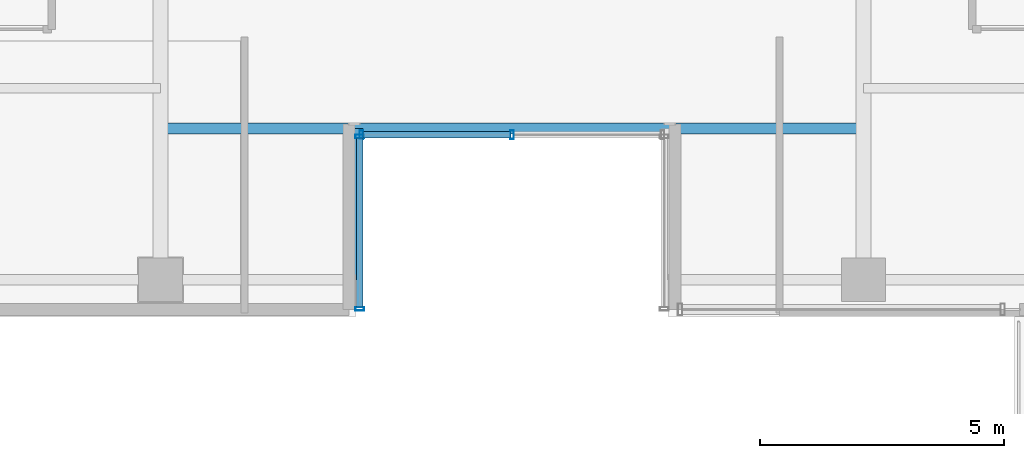
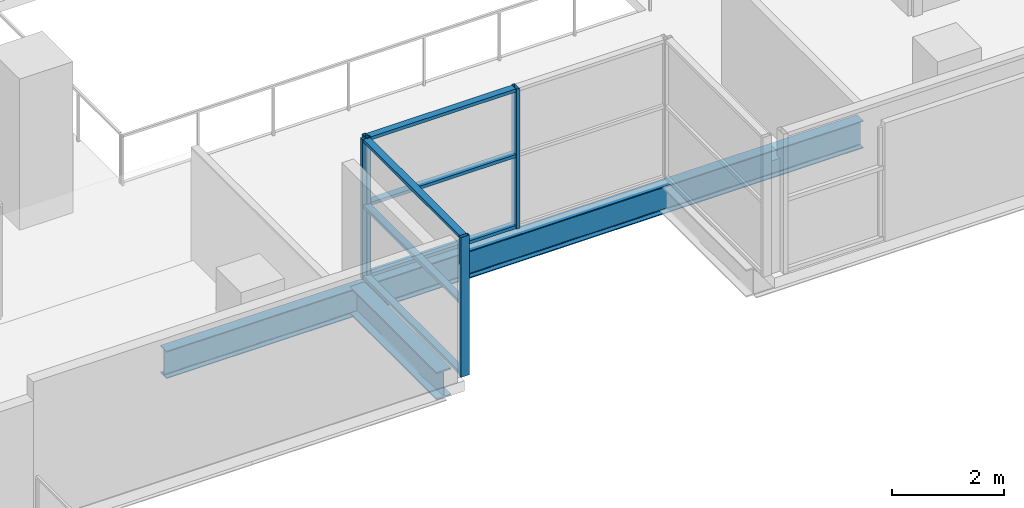
# One storey, part 3 of 31: 10 members, 2 beams, 2 elements without a shape of their own.
"""IFC4 building model written with IfcOpenShell, lengths in metres."""

import ifcopenshell
import ifcopenshell.guid

model = None  # the IFC model being written
_history = None  # IfcOwnerHistory: only IFC2X3 demands one
_inside = {}  # id of a spatial element -> (the spatial element, [elements in it])
_under = {}  # id of a project, library or spatial element -> (it, [spatial elements below it])
_declared = {}  # id of a project -> (the project, [libraries it declares])
_typed = {}  # id of a type object -> (the type object, [elements of that type])
_made_of = {}  # id of a material, layer set ... -> (it, [elements and type objects made of it])


def new_model(schema):
    """Start an empty IFC model of exactly this schema.

    Asked for "IFC4X3", IfcOpenShell would pick the latest addendum, in which some entities
    have other attributes; the version numbers below select the first issue.
    IFC2X3 requires an IfcOwnerHistory on every rooted entity: one is made here for all.
    """
    global model, _history
    if schema == "IFC4X3":
        model = ifcopenshell.file(schema_version=(4, 3, 0, 0))
    else:
        model = ifcopenshell.file(schema=schema)
    _inside.clear()
    _under.clear()
    _declared.clear()
    _typed.clear()
    _made_of.clear()
    _history = None
    if model.schema == "IFC2X3":
        org = make("IfcOrganization", Name="unknown")
        user = make(
            "IfcPersonAndOrganization",
            ThePerson=make("IfcPerson", FamilyName="unknown"),
            TheOrganization=org,
        )
        app = make(
            "IfcApplication",
            ApplicationDeveloper=org,
            Version="unknown",
            ApplicationFullName="unknown",
            ApplicationIdentifier="unknown",
        )
        _history = make(
            "IfcOwnerHistory",
            OwningUser=user,
            OwningApplication=app,
            ChangeAction="ADDED",
            CreationDate=0,
        )
    return model


def make(cls, **values):
    """One entity of the class cls with the attributes given. An attribute that is None is left unset."""
    return model.create_entity(
        cls, **{name: value for name, value in values.items() if value is not None}
    )


def rooted(cls, **values):
    """An entity with a GlobalId (a new one), such as an element, a storey or a relation."""
    return make(cls, GlobalId=ifcopenshell.guid.new(), OwnerHistory=_history, **values)


def si_unit(unit_type, name, prefix=None):
    """IfcSIUnit, for example si_unit("LENGTHUNIT", "METRE", prefix="MILLI")."""
    return make("IfcSIUnit", UnitType=unit_type, Prefix=prefix, Name=name)


def assignment(units):
    """IfcUnitAssignment: the units of a project."""
    return None if units is None else make("IfcUnitAssignment", Units=units)


def point(xyz):
    """IfcCartesianPoint."""
    return None if xyz is None else make("IfcCartesianPoint", Coordinates=xyz)


def direction(xyz):
    """IfcDirection."""
    return None if xyz is None else make("IfcDirection", DirectionRatios=xyz)


def frame(location, z_axis=None, x_axis=None):
    """IfcAxis2Placement3D, a coordinate frame: its origin and axes. An axis left out is left unset."""
    return make(
        "IfcAxis2Placement3D",
        Location=point(location),
        Axis=direction(z_axis),
        RefDirection=direction(x_axis),
    )


def frame_2d(location, x_axis=None):
    """IfcAxis2Placement2D, a coordinate frame in the plane: its origin and x axis."""
    return make(
        "IfcAxis2Placement2D", Location=point(location), RefDirection=direction(x_axis)
    )


def origin():
    """The frame at (0, 0, 0) with its axes left unset."""
    return frame((0.0, 0.0, 0.0))


def origin_2d():
    """The frame at (0, 0) in the plane with its x axis left unset."""
    return frame_2d((0.0, 0.0))


def place(relative_to, where):
    """IfcLocalPlacement: puts the frame where relative to a parent placement (None: the world)."""
    return make(
        "IfcLocalPlacement", PlacementRelTo=relative_to, RelativePlacement=where
    )


def context(
    kind, dimensions, precision=None, world=None, true_north=None, identifier=None
):
    """IfcGeometricRepresentationContext, for example the 3D "Model" context."""
    return make(
        "IfcGeometricRepresentationContext",
        ContextIdentifier=identifier,
        ContextType=kind,
        CoordinateSpaceDimension=dimensions,
        Precision=precision,
        WorldCoordinateSystem=world,
        TrueNorth=true_north,
    )


def subcontext(parent, identifier, kind, view, scale=None):
    """IfcGeometricRepresentationSubContext, for example "Body" below "Model"."""
    return make(
        "IfcGeometricRepresentationSubContext",
        ContextIdentifier=identifier,
        ContextType=kind,
        ParentContext=parent,
        TargetScale=scale,
        TargetView=view,
    )


def project(units=None, contexts=None):
    """IfcProject with its units and contexts."""
    return rooted(
        "IfcProject",
        Name="project",
        RepresentationContexts=contexts,
        UnitsInContext=assignment(units),
    )


def spatial(cls, under=None, at=None, **own):
    """A site, building, storey or space (cls), placed at a placement, below another one or the project."""
    s = rooted(cls, ObjectPlacement=at, **own)
    if under is not None:
        _under.setdefault(under.id(), (under, []))[1].append(s)
    return s


def profile(cls, at=None, kind="AREA", **sizes):
    """A parametric profile (cls). Its sizes go by their IFC names, for example OverallWidth=200.0."""
    return make(cls, ProfileType=kind, Position=at, **sizes)


def hollow_rectangle(**sizes):
    """IfcRectangleHollowProfileDef."""
    return profile("IfcRectangleHollowProfileDef", **sizes)


def i_section(**sizes):
    """IfcIShapeProfileDef."""
    return profile("IfcIShapeProfileDef", **sizes)


def extrude(swept, where, along, depth):
    """IfcExtrudedAreaSolid: the profile swept, set in the frame where, extruded along a direction by depth."""
    return make(
        "IfcExtrudedAreaSolid",
        SweptArea=swept,
        Position=where,
        ExtrudedDirection=direction(along),
        Depth=depth,
    )


def shape(context_of_items, identifier, shape_type, items):
    """IfcShapeRepresentation: the items that make up one representation, for example the "Body"."""
    return make(
        "IfcShapeRepresentation",
        ContextOfItems=context_of_items,
        RepresentationIdentifier=identifier,
        RepresentationType=shape_type,
        Items=items,
    )


def source(mapping_origin, context_of_items, identifier, shape_type, items):
    """IfcRepresentationMap: a shape defined once, which mapped items show again and again."""
    return make(
        "IfcRepresentationMap",
        MappingOrigin=mapping_origin,
        MappedRepresentation=shape(context_of_items, identifier, shape_type, items),
    )


def transform(
    local_origin,
    x_axis=None,
    y_axis=None,
    z_axis=None,
    scale=None,
    scale2=None,
    scale3=None,
    uniform=True,
):
    """IfcCartesianTransformationOperator3D, or its non-uniform kind. x_axis, y_axis, z_axis: its Axis1, 2, 3."""
    if uniform:
        return make(
            "IfcCartesianTransformationOperator3D",
            Axis1=direction(x_axis),
            Axis2=direction(y_axis),
            LocalOrigin=point(local_origin),
            Scale=scale,
            Axis3=direction(z_axis),
        )
    return make(
        "IfcCartesianTransformationOperator3DnonUniform",
        Axis1=direction(x_axis),
        Axis2=direction(y_axis),
        LocalOrigin=point(local_origin),
        Scale=scale,
        Axis3=direction(z_axis),
        Scale2=scale2,
        Scale3=scale3,
    )


def mapped(mapping_source, mapping_target):
    """IfcMappedItem: shows the shape of a source again, moved by a transform."""
    return make(
        "IfcMappedItem", MappingSource=mapping_source, MappingTarget=mapping_target
    )


def material(Name=None, Category=None):
    """IfcMaterial."""
    return make("IfcMaterial", Name=Name, Category=Category)


def layer(
    of_material, thickness, ventilated=None, Name=None, Category=None, Priority=None
):
    """IfcMaterialLayer: one layer of a wall or slab, of a material (None: an air gap)."""
    return make(
        "IfcMaterialLayer",
        Material=of_material,
        LayerThickness=thickness,
        IsVentilated=ventilated,
        Name=Name,
        Category=Category,
        Priority=Priority,
    )


def layer_set(layers, Name=None):
    """IfcMaterialLayerSet."""
    return make("IfcMaterialLayerSet", MaterialLayers=layers, LayerSetName=Name)


def material_profile(
    of_material, cross_section, Name=None, Category=None, Priority=None
):
    """IfcMaterialProfile: a cross section and its material."""
    return make(
        "IfcMaterialProfile",
        Name=Name,
        Material=of_material,
        Profile=cross_section,
        Priority=Priority,
        Category=Category,
    )


def profile_set(profiles, Name=None, composite=None):
    """IfcMaterialProfileSet."""
    return make(
        "IfcMaterialProfileSet",
        Name=Name,
        MaterialProfiles=profiles,
        CompositeProfile=composite,
    )


def made_of(thing, what):
    """Note that an element or type object is made of a material, layer set ...; save() writes the relation."""
    if what is not None:
        _made_of.setdefault(what.id(), (what, []))[1].append(thing)
    return thing


def type_object(cls, material=None, **own):
    """A type object (cls), such as IfcWallType, which elements share."""
    return made_of(rooted(cls, **own), material)


def element(
    cls,
    number,
    at=None,
    inside=None,
    cuts=None,
    type_object=None,
    material=None,
    context=None,
    identifier="Body",
    shape_type=None,
    held_by="IfcProductDefinitionShape",
    body=None,
    shapes=None,
    **own,
):
    """One element of the class cls, such as IfcWall. Its Tag is "e" and its number.

    at: its placement. inside: the storey or other place that contains it. cuts: it is an
    opening in that element (IfcRelVoidsElement). A single representation is given by context,
    identifier, shape_type and body (its items); several are given by shapes. held_by: the class
    of the entity that holds the representations. save() writes the other relations.
    """
    e = rooted(cls, Tag="e%d" % number, ObjectPlacement=at, **own)
    if body is not None:
        shapes = [shape(context, identifier, shape_type, body)]
    if shapes is not None:
        e.Representation = make(held_by, Representations=shapes)
    if inside is not None:
        _inside.setdefault(inside.id(), (inside, []))[1].append(e)
    if cuts is not None:
        rooted(
            "IfcRelVoidsElement", RelatingBuildingElement=cuts, RelatedOpeningElement=e
        )
    if type_object is not None:
        _typed.setdefault(type_object.id(), (type_object, []))[1].append(e)
    return made_of(e, material)


def aggregate(whole, parts):
    """IfcRelAggregates: a whole, such as a stair, and the parts it consists of."""
    return rooted("IfcRelAggregates", RelatingObject=whole, RelatedObjects=parts)


def save(model, path):
    """Write the relations noted so far, then the file.

    IfcRelAggregates (storeys below a building ...), IfcRelContainedInSpatialStructure (elements
    in a storey), IfcRelDefinesByType, IfcRelAssociatesMaterial and IfcRelDeclares: one each for
    every whole, place, type object, material and project.
    """
    for whole, parts in _under.values():
        aggregate(whole, parts)
    for where, things in _inside.values():
        rooted(
            "IfcRelContainedInSpatialStructure",
            RelatedElements=things,
            RelatingStructure=where,
        )
    for kind, things in _typed.values():
        rooted("IfcRelDefinesByType", RelatedObjects=things, RelatingType=kind)
    for what, things in _made_of.values():
        rooted("IfcRelAssociatesMaterial", RelatedObjects=things, RelatingMaterial=what)
    for by, libraries in _declared.values():
        rooted("IfcRelDeclares", RelatingContext=by, RelatedDefinitions=libraries)
    model.write(path)


model = new_model("IFC4")

# Units and contexts
model_context = context("Model", 3, precision=1e-05, world=origin(), true_north=direction((0.0, 1.0)))
body_context = subcontext(model_context, "Body", "Model", "MODEL_VIEW")
ifc_project = project(units=[si_unit("LENGTHUNIT", "METRE"), si_unit("AREAUNIT", "SQUARE_METRE"), si_unit("VOLUMEUNIT", "CUBIC_METRE"), si_unit("PLANEANGLEUNIT", "RADIAN"), si_unit("MASSUNIT", "GRAM", prefix="KILO")], contexts=[model_context])

# Site, building, storey
site_placement = place(None, origin())
site = spatial("IfcSite", under=ifc_project, at=site_placement, CompositionType="ELEMENT")
building_placement = place(site_placement, origin())
building = spatial("IfcBuilding", under=site, at=building_placement, Name="Zarnakvel Exchange Tower", CompositionType="ELEMENT")
storey_placement = place(building_placement, frame((0.0, 0.0, 53.800048828125)))
storey = spatial("IfcBuildingStorey", under=building, at=storey_placement, Name="L14", CompositionType="ELEMENT", Elevation=53.800048828125)

# Beams
ifc_material_1 = material(Name="Steel S355", Category="steel")
ifc_material_profile_1 = material_profile(ifc_material_1, i_section(OverallWidth=0.300048828125, OverallDepth=0.60009765625, WebThickness=0.015380859375, FlangeThickness=0.030029296875, FilletRadius=0.027099609375, at=origin_2d()))
ifc_profile_set_1 = profile_set([ifc_material_profile_1], Name="Steel S355")
beam_type_1 = type_object("IfcBeamType", Name="G-04", PredefinedType="BEAM", material=ifc_profile_set_1)
beam_1_placement = place(storey_placement, frame((-3.199951171875, -17.449951171875, -0.525146484375), z_axis=(0.0, 1.0, 0.0), x_axis=(-1.0, 0.0, 0.0)))
element("IfcBeam", 1, at=beam_1_placement, inside=storey, type_object=beam_type_1, Name="L14 South Slot West Cheek Beam", PredefinedType="BEAM", context=body_context, shape_type="SweptSolid", body=[
    extrude(i_section(OverallWidth=0.300048828125, OverallDepth=0.60009765625, WebThickness=0.015380859375, FlangeThickness=0.030029296875, FilletRadius=0.027099609375, at=origin_2d()), origin(), (0.0, 0.0, 1.0), 3.099853515625),
])
ifc_material_profile_2 = material_profile(ifc_material_1, i_section(OverallWidth=0.219970703125, OverallDepth=0.60009765625, WebThickness=0.011962890625, FlangeThickness=0.01904296875, FilletRadius=0.02392578125, at=origin_2d()))
ifc_profile_set_2 = profile_set([ifc_material_profile_2], Name="Steel S355")
beam_type_2 = type_object("IfcBeamType", Name="SP-01", PredefinedType="SPANDREL", material=ifc_profile_set_2)
beam_2_placement = place(storey_placement, frame((-7.199951171875, -14.35009765625, -0.525146484375), z_axis=(1.0, 0.0, 0.0), x_axis=(0.0, 1.0, 0.0)))
element("IfcBeam", 2, at=beam_2_placement, inside=storey, type_object=beam_type_2, Name="L14 South Slot Head Trimmer Girder", PredefinedType="SPANDREL", context=body_context, shape_type="SweptSolid", body=[
    extrude(i_section(OverallWidth=0.219970703125, OverallDepth=0.60009765625, WebThickness=0.011962890625, FlangeThickness=0.01904296875, FilletRadius=0.02392578125, at=origin_2d()), origin(), (0.0, 0.0, 1.0), 14.39990234375),
])

# Curtain wall, members
ifc_material_2 = material(Name="Architectural Bronze Anodised Aluminium", Category="aluminium")
ifc_layer = layer(ifc_material_2, 0.179931640625)
ifc_layer_set = layer_set([ifc_layer], Name="Architectural Bronze Anodised Aluminium")
curtain_wall_type = type_object("IfcCurtainWallType", Name="CW-05", PredefinedType="NOTDEFINED", material=ifc_layer_set)
curtain_wall_1_placement = place(storey_placement, origin())
curtain_wall_1 = element("IfcCurtainWall", 3, at=curtain_wall_1_placement, inside=storey, type_object=curtain_wall_type, Name="L14 Curtain Wall CW-L14-SLW (CW-05)", PredefinedType="NOTDEFINED")
ifc_material_profile_3 = material_profile(ifc_material_2, hollow_rectangle(XDim=0.139892578125, YDim=0.070068359375, WallThickness=0.00390625, at=origin_2d()))
ifc_profile_set_3 = profile_set([ifc_material_profile_3], Name="Architectural Bronze Anodised Aluminium")
member_type_1 = type_object("IfcMemberType", Name="CWT-05", PredefinedType="USERDEFINED", material=ifc_profile_set_3)
shared_shape_1 = source(origin(), body_context, "Body", "SweptSolid", [
    extrude(hollow_rectangle(XDim=0.139892578125, YDim=0.070068359375, WallThickness=0.00390625, at=origin_2d()), origin(), (0.0, 0.0, 1.0), 3.4599609375),
])
member_1_placement = place(storey_placement, frame((-3.1201171875, -18.010009765625, 0.034912109375), z_axis=(0.0, 1.0, 0.0), x_axis=(-1.0, 0.0, 0.0)))
member_1 = element("IfcMember", 4, at=member_1_placement, type_object=member_type_1, Name="CW-05 transom 1.1", ObjectType="TRANSOM", PredefinedType="USERDEFINED", context=body_context, shape_type="MappedRepresentation", body=[
    mapped(shared_shape_1, transform((0.0, 0.0, 0.0), x_axis=(1.0, 0.0, 0.0), y_axis=(0.0, 1.0, 0.0), z_axis=(0.0, 0.0, 1.0), scale=1.0)),
])
member_2_placement = place(storey_placement, frame((-3.1201171875, -18.010009765625, 1.588623046875), z_axis=(0.0, 1.0, 0.0), x_axis=(-1.0, 0.0, 0.0)))
member_2 = element("IfcMember", 5, at=member_2_placement, type_object=member_type_1, Name="CW-05 transom 1.2", ObjectType="TRANSOM", PredefinedType="USERDEFINED", context=body_context, shape_type="MappedRepresentation", body=[
    mapped(shared_shape_1, transform((0.0, 0.0, 0.0), x_axis=(1.0, 0.0, 0.0), y_axis=(0.0, 1.0, 0.0), z_axis=(0.0, 0.0, 1.0), scale=1.0)),
])
member_3_placement = place(storey_placement, frame((-3.1201171875, -18.010009765625, 3.02001953125), z_axis=(0.0, 1.0, 0.0), x_axis=(-1.0, 0.0, 0.0)))
member_3 = element("IfcMember", 6, at=member_3_placement, type_object=member_type_1, Name="CW-05 transom 1.3", ObjectType="TRANSOM", PredefinedType="USERDEFINED", context=body_context, shape_type="MappedRepresentation", body=[
    mapped(shared_shape_1, transform((0.0, 0.0, 0.0), x_axis=(1.0, 0.0, 0.0), y_axis=(0.0, 1.0, 0.0), z_axis=(0.0, 0.0, 1.0), scale=1.0)),
])

curtain_wall_2_placement = place(storey_placement, origin())
curtain_wall_2 = element("IfcCurtainWall", 7, at=curtain_wall_2_placement, inside=storey, type_object=curtain_wall_type, Name="L14 Curtain Wall CW-L14-SLB (CW-05)", PredefinedType="NOTDEFINED")
shared_shape_2 = source(origin(), body_context, "Body", "SweptSolid", [
    extrude(hollow_rectangle(XDim=0.139892578125, YDim=0.070068359375, WallThickness=0.00390625, at=origin_2d()), origin(), (0.0, 0.0, 1.0), 3.01513671875),
])
member_4_placement = place(storey_placement, frame((-3.050048828125, -14.47998046875, 0.034912109375), z_axis=(1.0, 0.0, 0.0), x_axis=(0.0, 1.0, 0.0)))
member_4 = element("IfcMember", 8, at=member_4_placement, type_object=member_type_1, Name="CW-05 transom 1.1", ObjectType="TRANSOM", PredefinedType="USERDEFINED", context=body_context, shape_type="MappedRepresentation", body=[
    mapped(shared_shape_2, transform((0.0, 0.0, 0.0), x_axis=(1.0, 0.0, 0.0), y_axis=(0.0, 1.0, 0.0), z_axis=(0.0, 0.0, 1.0), scale=1.0)),
])
member_5_placement = place(storey_placement, frame((-3.050048828125, -14.47998046875, 1.588623046875), z_axis=(1.0, 0.0, 0.0), x_axis=(0.0, 1.0, 0.0)))
member_5 = element("IfcMember", 9, at=member_5_placement, type_object=member_type_1, Name="CW-05 transom 1.2", ObjectType="TRANSOM", PredefinedType="USERDEFINED", context=body_context, shape_type="MappedRepresentation", body=[
    mapped(shared_shape_2, transform((0.0, 0.0, 0.0), x_axis=(1.0, 0.0, 0.0), y_axis=(0.0, 1.0, 0.0), z_axis=(0.0, 0.0, 1.0), scale=1.0)),
])
member_6_placement = place(storey_placement, frame((-3.050048828125, -14.47998046875, 3.02001953125), z_axis=(1.0, 0.0, 0.0), x_axis=(0.0, 1.0, 0.0)))
member_6 = element("IfcMember", 10, at=member_6_placement, type_object=member_type_1, Name="CW-05 transom 1.3", ObjectType="TRANSOM", PredefinedType="USERDEFINED", context=body_context, shape_type="MappedRepresentation", body=[
    mapped(shared_shape_2, transform((0.0, 0.0, 0.0), x_axis=(1.0, 0.0, 0.0), y_axis=(0.0, 1.0, 0.0), z_axis=(0.0, 0.0, 1.0), scale=1.0)),
])

# Member
ifc_material_profile_4 = material_profile(ifc_material_2, hollow_rectangle(XDim=0.179931640625, YDim=0.070068359375, WallThickness=0.00390625, at=origin_2d()))
ifc_profile_set_4 = profile_set([ifc_material_profile_4], Name="Architectural Bronze Anodised Aluminium")
member_type_2 = type_object("IfcMemberType", Name="CWM-05", PredefinedType="MULLION", material=ifc_profile_set_4)
shared_shape_3 = source(origin(), body_context, "Body", "SweptSolid", [
    extrude(hollow_rectangle(XDim=0.179931640625, YDim=0.070068359375, WallThickness=0.00390625, at=origin_2d()), origin(), (0.0, 0.0, 1.0), 3.054931640625),
])
member_7_placement = place(storey_placement, frame((-3.1201171875, -18.044921875, 0.0), z_axis=(0.0, 0.0, 1.0), x_axis=(-1.0, 0.0, 0.0)))
member_7 = element("IfcMember", 11, at=member_7_placement, type_object=member_type_2, Name="CW-05 mullion 1", PredefinedType="MULLION", context=body_context, shape_type="MappedRepresentation", body=[
    mapped(shared_shape_3, transform((0.0, 0.0, 0.0), x_axis=(1.0, 0.0, 0.0), y_axis=(0.0, 1.0, 0.0), z_axis=(0.0, 0.0, 1.0), scale=1.0)),
])

member_8_placement = place(storey_placement, frame((-3.1201171875, -14.514892578125, 0.0), z_axis=(0.0, 0.0, 1.0), x_axis=(-1.0, 0.0, 0.0)))
member_8 = element("IfcMember", 12, at=member_8_placement, type_object=member_type_2, Name="CW-05 mullion 2", PredefinedType="MULLION", context=body_context, shape_type="MappedRepresentation", body=[
    mapped(shared_shape_3, transform((0.0, 0.0, 0.0), x_axis=(1.0, 0.0, 0.0), y_axis=(0.0, 1.0, 0.0), z_axis=(0.0, 0.0, 1.0), scale=1.0)),
])

aggregate(curtain_wall_1, [member_7, member_8, member_1, member_2, member_3])

member_9_placement = place(storey_placement, frame((-3.0849609375, -14.47998046875, 0.0), z_axis=(0.0, 0.0, 1.0), x_axis=(0.0, 1.0, 0.0)))
member_9 = element("IfcMember", 13, at=member_9_placement, type_object=member_type_2, Name="CW-05 mullion 1", PredefinedType="MULLION", context=body_context, shape_type="MappedRepresentation", body=[
    mapped(shared_shape_3, transform((0.0, 0.0, 0.0), x_axis=(1.0, 0.0, 0.0), y_axis=(0.0, 1.0, 0.0), z_axis=(0.0, 0.0, 1.0), scale=1.0)),
])

member_10_placement = place(storey_placement, frame((0.0, -14.47998046875, 0.0), z_axis=(0.0, 0.0, 1.0), x_axis=(0.0, 1.0, 0.0)))
member_10 = element("IfcMember", 14, at=member_10_placement, type_object=member_type_2, Name="CW-05 mullion 2", PredefinedType="MULLION", context=body_context, shape_type="MappedRepresentation", body=[
    mapped(shared_shape_3, transform((0.0, 0.0, 0.0), x_axis=(1.0, 0.0, 0.0), y_axis=(0.0, 1.0, 0.0), z_axis=(0.0, 0.0, 1.0), scale=1.0)),
])

aggregate(curtain_wall_2, [member_9, member_10, member_4, member_5, member_6])

save(model, "model.ifc")
